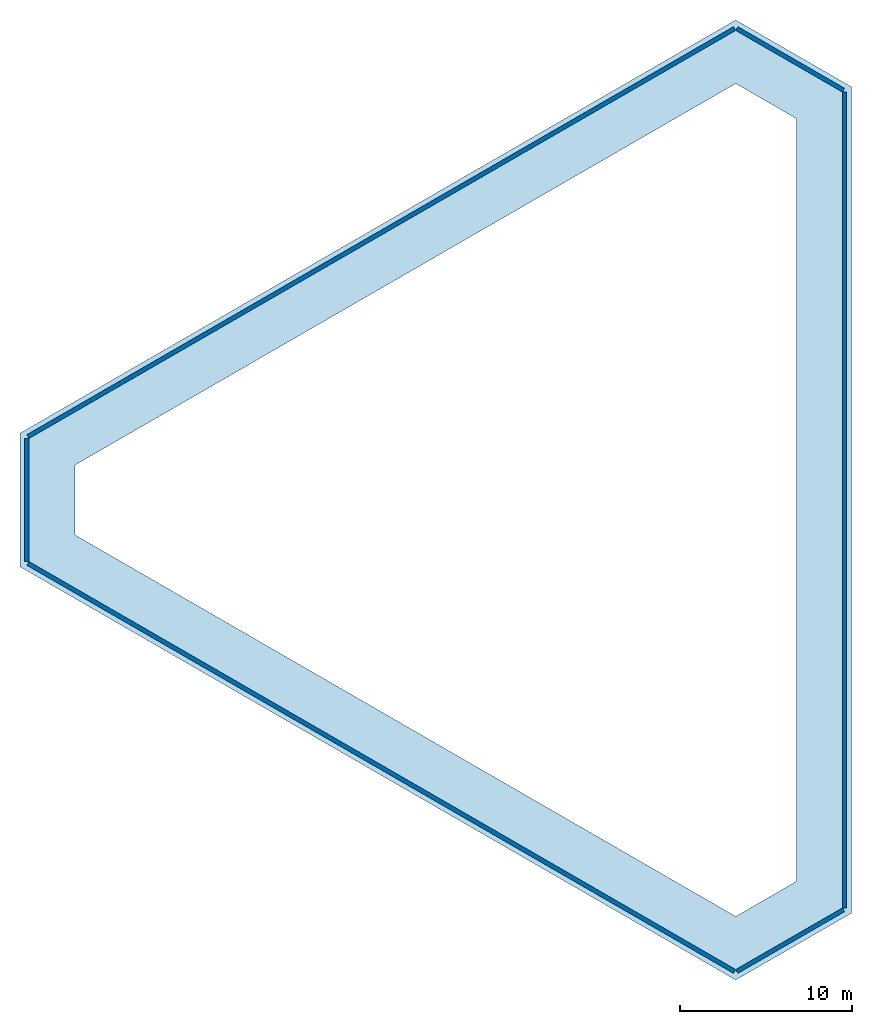
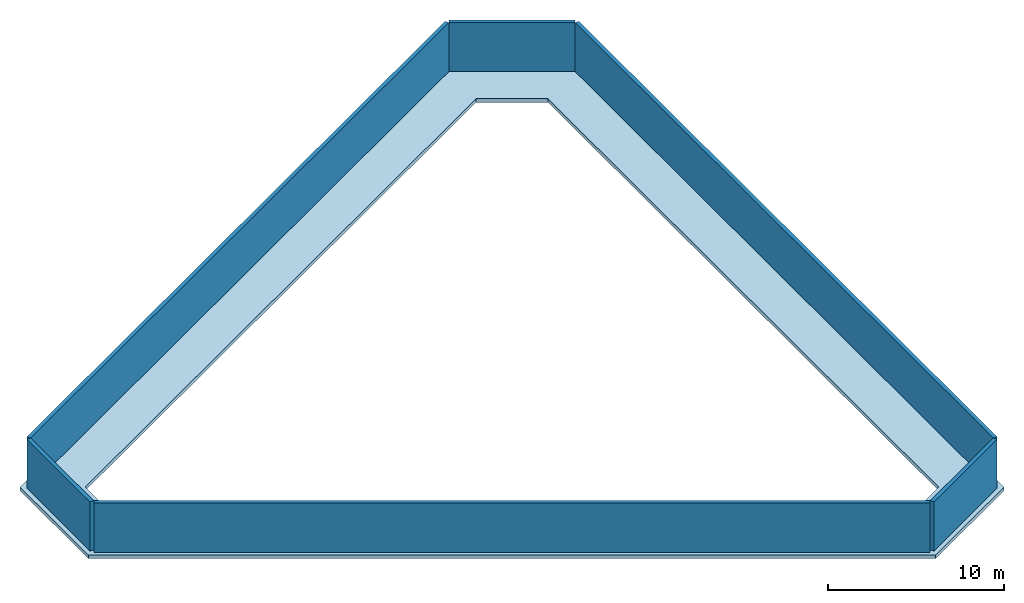
# One storey: 6 walls, 1 slab.
"""IFC4 building model written with IfcOpenShell, lengths in metres."""

from ifc_helpers import new_model, si_unit, direction, frame, frame_2d, origin, place, context, subcontext, project, spatial, polyline, rectangle, outline, extrude, material, layer, layer_set, type_object, element, save


model = new_model("IFC4")

# Units and contexts
model_context = context("Model", 3, precision=1e-05, world=origin(), true_north=direction((0.0, 1.0)))
body_context = subcontext(model_context, "Body", "Model", "MODEL_VIEW")
ifc_project = project(units=[si_unit("LENGTHUNIT", "METRE"), si_unit("AREAUNIT", "SQUARE_METRE"), si_unit("VOLUMEUNIT", "CUBIC_METRE"), si_unit("PLANEANGLEUNIT", "RADIAN"), si_unit("MASSUNIT", "GRAM", prefix="KILO")], contexts=[model_context])

# Site, building, storey
site_placement = place(None, origin())
site = spatial("IfcSite", under=ifc_project, at=site_placement, CompositionType="ELEMENT")
building_placement = place(site_placement, origin())
building = spatial("IfcBuilding", under=site, at=building_placement, Name="Jabali Bay Hotel Tower and Convention Centre", CompositionType="ELEMENT")
storey_placement = place(building_placement, frame((0.0, 0.0, 350.5)))
storey = spatial("IfcBuildingStorey", under=building, at=storey_placement, Name="Roof Crown Cap", CompositionType="ELEMENT", Elevation=350.5)

# Slab
ifc_material = material(Name="Concrete C40/50", Category="concrete")
ifc_layer_1 = layer(ifc_material, 0.25)
ifc_layer_set_1 = layer_set([ifc_layer_1], Name="Concrete C40/50")
slab_type = type_object("IfcSlabType", Name="Crown cap slab", PredefinedType="ROOF", material=ifc_layer_set_1)
slab_placement = place(storey_placement, origin())
element("IfcSlab", 1, at=slab_placement, inside=storey, type_object=slab_type, Name="Crown cap ring", PredefinedType="ROOF", context=body_context, shape_type="SweptSolid", body=[
    extrude(outline(polyline([(93.348876953125, 55.982666015625), (93.348876953125, 104.017333984375), (86.625244140625, 107.899169921875), (45.02587890625, 83.8818359375), (45.02587890625, 76.1181640625), (86.625244140625, 52.100830078125), (93.348876953125, 55.982666015625)]), holes=[polyline([(90.148681640625, 57.830078125), (90.148681640625, 102.169921875), (86.625244140625, 104.2041015625), (48.225830078125, 82.0341796875), (48.225830078125, 77.9658203125), (86.625244140625, 55.7958984375), (90.148681640625, 57.830078125)])]), origin(), (0.0, 0.0, 1.0), 0.25),
])

# Walls
ifc_layer_2 = layer(ifc_material, 0.25)
ifc_layer_set_2 = layer_set([ifc_layer_2], Name="Concrete C40/50")
wall_type = type_object("IfcWallType", Name="Crown parapet 250", PredefinedType="PARAPET", material=ifc_layer_set_2)
wall_1_placement = place(storey_placement, frame((92.94873046875, 56.28564453125, 0.25), z_axis=(0.0, 0.0, 1.0), x_axis=(0.0, 1.0, 0.0)))
element("IfcWall", 2, at=wall_1_placement, inside=storey, type_object=wall_type, Name="Crown parapet 1", PredefinedType="PARAPET", context=body_context, shape_type="SweptSolid", body=[
    extrude(rectangle(XDim=47.4287109375, YDim=0.25, at=frame_2d((23.71435546875, 0.0))), origin(), (0.0, 0.0, 1.0), 3.39990234375),
])
wall_2_placement = place(storey_placement, frame((92.88623046875, 103.822509765625, 0.25), z_axis=(0.0, 0.0, 1.0), x_axis=(-0.866015743806, 0.500016731201, 0.0)))
element("IfcWall", 3, at=wall_2_placement, inside=storey, type_object=wall_type, Name="Crown parapet 2", PredefinedType="PARAPET", context=body_context, shape_type="SweptSolid", body=[
    extrude(rectangle(XDim=7.157470703125, YDim=0.25, at=frame_2d((3.57861328125, 0.0))), origin(), (0.0, 0.0, 1.0), 3.39990234375),
])
wall_3_placement = place(storey_placement, frame((86.562744140625, 107.4013671875, 0.25), z_axis=(0.0, 0.0, 1.0), x_axis=(-0.866025374003, -0.500000051583, 0.0)))
element("IfcWall", 4, at=wall_3_placement, inside=storey, type_object=wall_type, Name="Crown parapet 3", PredefinedType="PARAPET", context=body_context, shape_type="SweptSolid", body=[
    extrude(rectangle(XDim=47.4287109375, YDim=0.25, at=frame_2d((23.71435546875, 0.0))), origin(), (0.0, 0.0, 1.0), 3.39990234375),
])
wall_4_placement = place(storey_placement, frame((45.42578125, 83.57861328125, 0.25), z_axis=(0.0, 0.0, 1.0), x_axis=(0.0, -1.0, 0.0)))
element("IfcWall", 5, at=wall_4_placement, inside=storey, type_object=wall_type, Name="Crown parapet 4", PredefinedType="PARAPET", context=body_context, shape_type="SweptSolid", body=[
    extrude(rectangle(XDim=7.1572265625, YDim=0.25, at=frame_2d((3.57861328125, 0.0))), origin(), (0.0, 0.0, 1.0), 3.39990234375),
])
wall_5_placement = place(storey_placement, frame((45.48828125, 76.31298828125, 0.25), z_axis=(0.0, 0.0, 1.0), x_axis=(0.866025374003, -0.500000051583, 0.0)))
element("IfcWall", 6, at=wall_5_placement, inside=storey, type_object=wall_type, Name="Crown parapet 5", PredefinedType="PARAPET", context=body_context, shape_type="SweptSolid", body=[
    extrude(rectangle(XDim=47.4287109375, YDim=0.25, at=frame_2d((23.71435546875, 0.0))), origin(), (0.0, 0.0, 1.0), 3.39990234375),
])
wall_6_placement = place(storey_placement, frame((86.687744140625, 52.5986328125, 0.25), z_axis=(0.0, 0.0, 1.0), x_axis=(0.866015743806, 0.500016731201, 0.0)))
element("IfcWall", 7, at=wall_6_placement, inside=storey, type_object=wall_type, Name="Crown parapet 6", PredefinedType="PARAPET", context=body_context, shape_type="SweptSolid", body=[
    extrude(rectangle(XDim=7.157470703125, YDim=0.25, at=frame_2d((3.57861328125, 0.0))), origin(), (0.0, 0.0, 1.0), 3.39990234375),
])

save(model, "model.ifc")
